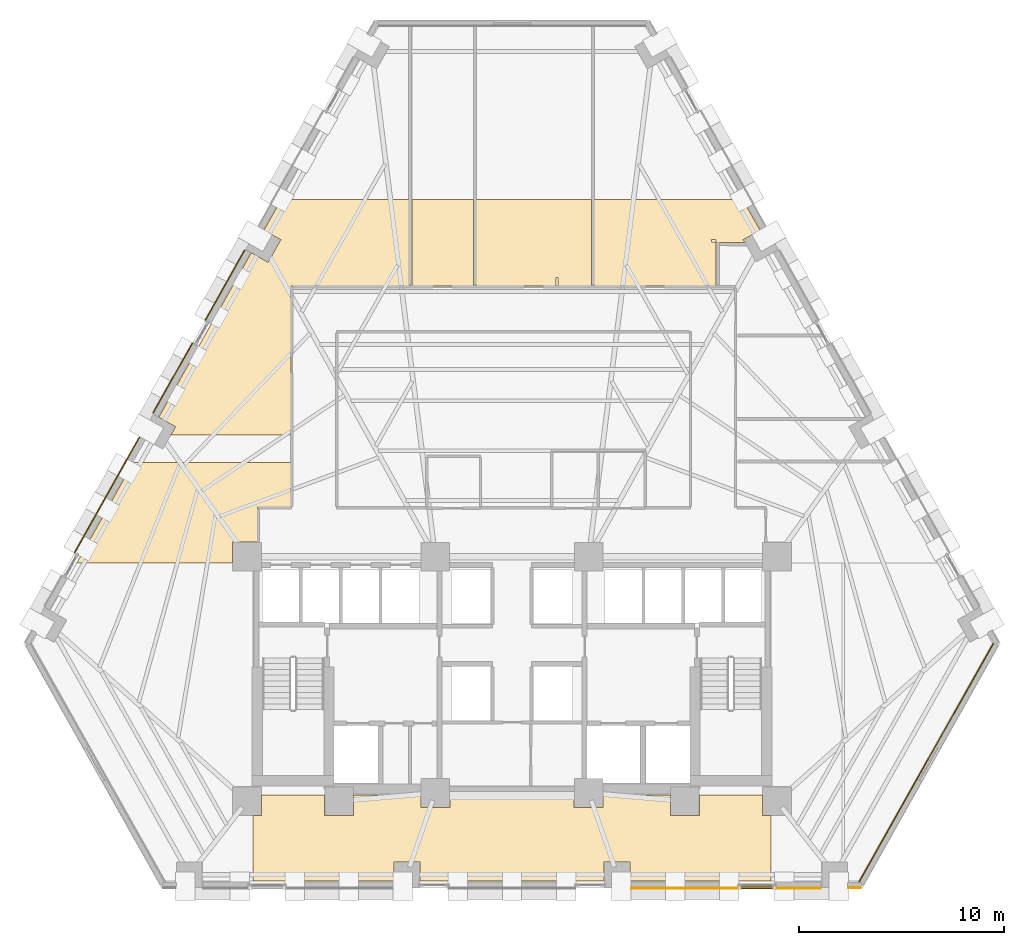
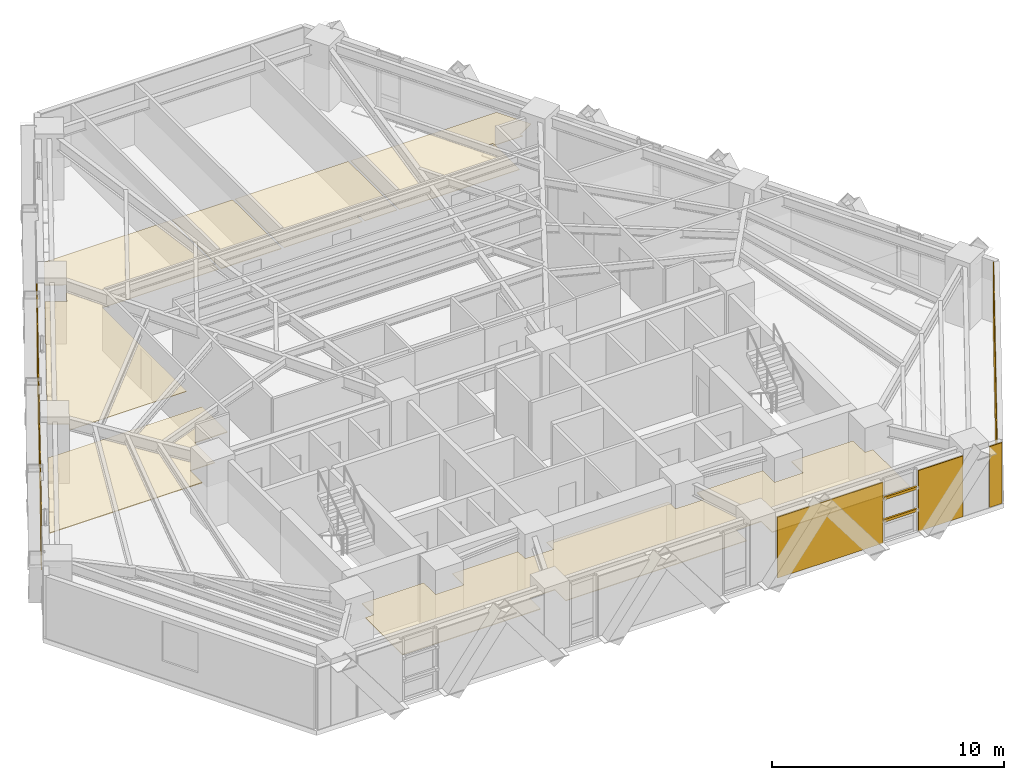
# One storey, part 11 of 13: 13 coverings, 2 shading devices.
"""IFC4 building model written with IfcOpenShell, lengths in metres."""

from ifc_helpers import new_model, si_unit, direction, frame, origin, origin_2d, place, context, subcontext, project, spatial, polyline, rectangle, outline, extrude, material, layer, layer_set, material_profile, profile_set, type_object, element, save


model = new_model("IFC4")

# Units and contexts
model_context = context("Model", 3, precision=1e-05, world=origin(), true_north=direction((0.0, 1.0)))
body_context = subcontext(model_context, "Body", "Model", "MODEL_VIEW")
ifc_project = project(units=[si_unit("LENGTHUNIT", "METRE"), si_unit("AREAUNIT", "SQUARE_METRE"), si_unit("VOLUMEUNIT", "CUBIC_METRE"), si_unit("PLANEANGLEUNIT", "RADIAN"), si_unit("MASSUNIT", "GRAM", prefix="KILO")], contexts=[model_context])

# Site, building, storey
site_placement = place(None, origin())
site = spatial("IfcSite", under=ifc_project, at=site_placement, CompositionType="ELEMENT")
building_placement = place(site_placement, origin())
building = spatial("IfcBuilding", under=site, at=building_placement, Name="Quenlor Broadcast Tower", CompositionType="ELEMENT")
storey_placement = place(building_placement, frame((0.0, 0.0, 34.60009765625)))
storey = spatial("IfcBuildingStorey", under=building, at=storey_placement, Name="L08", CompositionType="ELEMENT", Elevation=34.60009765625)

# Coverings
ifc_material_1 = material(Name="Acoustic Mineral Fibre Board", Category="other")
ifc_layer_1 = layer(ifc_material_1, 0.02490234375)
ifc_layer_set_1 = layer_set([ifc_layer_1], Name="Acoustic Perforated Mineral Tile Ceiling 25")
covering_type_1 = type_object("IfcCoveringType", Name="Acoustic Perforated Mineral Tile Ceiling 25", PredefinedType="CEILING", material=ifc_layer_set_1)
covering_1_placement = place(storey_placement, frame((0.0, 0.0, 2.224853515625)))
element("IfcCovering", 1, at=covering_1_placement, inside=storey, type_object=covering_type_1, Name="L08 Acoustic Ceiling L08-32", PredefinedType="CEILING", context=body_context, shape_type="SweptSolid", body=[
    extrude(outline(polyline([(-1.765869140625, 8.429931640625), (-1.765869140625, 12.64990234375), (3.8798828125, 12.64990234375), (3.8798828125, 8.429931640625), (2.260009765625, 8.429931640625), (2.260009765625, 8.85009765625), (2.139892578125, 8.85009765625), (2.139892578125, 8.429931640625), (-1.765869140625, 8.429931640625)])), origin(), (0.0, 0.0, 1.0), 0.025146484375),
])
covering_2_placement = place(storey_placement, frame((0.0, 0.0, 2.224853515625)))
element("IfcCovering", 2, at=covering_2_placement, inside=storey, type_object=covering_type_1, Name="L08 Acoustic Ceiling L08-33", PredefinedType="CEILING", context=body_context, shape_type="SweptSolid", body=[
    extrude(outline(polyline([(10.04248046875, 10.561279296875), (10.0166015625, 10.5751953125), (9.993896484375, 10.593994140625), (9.975341796875, 10.61669921875), (9.96142578125, 10.642578125), (9.952880859375, 10.670654296875), (9.949951171875, 10.699951171875), (9.75, 10.699951171875), (9.75, 10.580078125), (9.97998046875, 10.580078125), (9.97998046875, 8.429931640625), (4.0, 8.429931640625), (4.0, 12.64990234375), (11.27587890625, 12.64990234375), (12.122802734375, 11.154541015625), (11.301025390625, 10.6923828125), (11.381103515625, 10.550048828125), (10.10009765625, 10.550048828125), (10.07080078125, 10.552978515625), (10.04248046875, 10.561279296875)])), origin(), (0.0, 0.0, 1.0), 0.025146484375),
])
covering_3_placement = place(storey_placement, frame((0.0, 0.0, 2.224853515625)))
element("IfcCovering", 3, at=covering_3_placement, inside=storey, type_object=covering_type_1, Name="L08 Acoustic Ceiling L08-34", PredefinedType="CEILING", context=body_context, shape_type="SweptSolid", body=[
    extrude(outline(polyline([(-16.6630859375, 1.159912109375), (-16.44189453125, 1.552978515625), (-17.263671875, 2.015380859375), (-12.74365234375, 10.05126953125), (-11.921630859375, 9.5888671875), (-11.301025390625, 10.6923828125), (-12.122802734375, 11.154541015625), (-11.28173828125, 12.64990234375), (-5.02001953125, 12.64990234375), (-5.02001953125, 8.429931640625), (-10.804931640625, 8.429931640625), (-10.804931640625, 1.159912109375), (-16.6630859375, 1.159912109375)])), origin(), (0.0, 0.0, 1.0), 0.025146484375),
])
ifc_material_2 = material(Name="Acoustic Gypsum Board", Category="other")
ifc_layer_2 = layer(ifc_material_2, 0.0400390625)
ifc_layer_set_2 = layer_set([ifc_layer_2], Name="Broadcast Studio Spring Isolated Ceiling 40")
covering_type_2 = type_object("IfcCoveringType", Name="Broadcast Studio Spring Isolated Ceiling 40", PredefinedType="CEILING", material=ifc_layer_set_2)
covering_4_placement = place(storey_placement, frame((0.0, 0.0, 2.2099609375)))
element("IfcCovering", 4, at=covering_4_placement, inside=storey, type_object=covering_type_2, Name="L08 Acoustic Ceiling L08-31", PredefinedType="CEILING", context=body_context, shape_type="SweptSolid", body=[
    extrude(outline(polyline([(-1.8857421875, 8.429931640625), (-4.89990234375, 8.429931640625), (-4.89990234375, 12.64990234375), (-1.8857421875, 12.64990234375), (-1.8857421875, 8.429931640625)])), origin(), (0.0, 0.0, 1.0), 0.0400390625),
])
covering_5_placement = place(storey_placement, frame((0.0, 0.0, 2.2099609375)))
element("IfcCovering", 5, at=covering_5_placement, inside=storey, type_object=covering_type_2, Name="L08 Acoustic Ceiling L08-38", PredefinedType="CEILING", context=body_context, shape_type="SweptSolid", body=[
    extrude(outline(polyline([(-12.43994140625, -2.3701171875), (-12.43994140625, -4.092041015625), (-13.657958984375, -4.092041015625), (-13.657958984375, -5.1201171875), (-21.27734375, -5.1201171875), (-18.50439453125, -0.190185546875), (-10.804931640625, -0.190185546875), (-10.804931640625, -2.3701171875), (-12.43994140625, -2.3701171875)])), origin(), (0.0, 0.0, 1.0), 0.0400390625),
])
covering_6_placement = place(storey_placement, frame((0.0, 0.0, 2.2099609375)))
element("IfcCovering", 6, at=covering_6_placement, inside=storey, type_object=covering_type_2, Name="L08 Acoustic Ceiling L08-38-6", PredefinedType="CEILING", context=body_context, shape_type="SweptSolid", body=[
    extrude(outline(polyline([(-12.241943359375, -17.4580078125), (-12.241943359375, -16.449951171875), (-9.157958984375, -16.449951171875), (-9.157958984375, -17.4580078125), (-7.741943359375, -17.4580078125), (-7.741943359375, -16.449951171875), (-4.4580078125, -16.449951171875), (-4.4580078125, -17.05810546875), (-3.0419921875, -17.05810546875), (-3.0419921875, -16.449951171875), (3.0419921875, -16.449951171875), (3.0419921875, -17.05810546875), (4.4580078125, -17.05810546875), (4.4580078125, -16.449951171875), (7.741943359375, -16.449951171875), (7.741943359375, -17.4580078125), (9.157958984375, -17.4580078125), (9.157958984375, -16.449951171875), (12.241943359375, -16.449951171875), (12.241943359375, -17.4580078125), (12.64990234375, -17.4580078125), (12.64990234375, -20.659912109375), (5.773681640625, -20.659912109375), (5.773681640625, -19.717041015625), (4.5078125, -19.717041015625), (4.5078125, -20.659912109375), (-4.5078125, -20.659912109375), (-4.5078125, -19.717041015625), (-5.773681640625, -19.717041015625), (-5.773681640625, -20.659912109375), (-12.64990234375, -20.659912109375), (-12.64990234375, -17.4580078125), (-12.241943359375, -17.4580078125)])), origin(), (0.0, 0.0, 1.0), 0.0400390625),
])

# Shading devices
ifc_material_3 = material(Name="Architectural Terracotta Ceramic", Category="masonry")
ifc_material_profile = material_profile(ifc_material_3, rectangle(XDim=0.090087890625, YDim=0.139892578125, at=origin_2d()))
ifc_profile_set = profile_set([ifc_material_profile], Name="Architectural Terracotta Ceramic BAG90x140")
shading_device_type = type_object("IfcShadingDeviceType", Name="Copper Terracotta Baguette Solar Screen 140", PredefinedType="USERDEFINED", material=ifc_profile_set)
for number, where, z_axis, x_axis, name in (
    (7, (12.794921875, -20.98291015625, 1.169921875), (-1.0, 0.0, 0.0), (0.0, -1.0, 0.0), "L08 Terracotta Baguette Screen 1"),
    (8, (12.794921875, -20.98291015625, 2.33984375), (-1.0, 0.0, 0.0), (0.0, -1.0, 0.0), "L08 Terracotta Baguette Screen 2"),
):
    element("IfcShadingDevice", number, at=place(storey_placement, frame(where, z_axis=z_axis, x_axis=x_axis)), inside=storey, type_object=shading_device_type, Name=name, ObjectType="BAGUETTE", PredefinedType="USERDEFINED", context=body_context, shape_type="SweptSolid", body=[
        extrude(rectangle(XDim=0.090087890625, YDim=0.139892578125, at=origin_2d()), origin(), (0.0, 0.0, 1.0), 1.6484375),
    ])

# Coverings
ifc_material_4 = material(Name="Architectural Terracotta Ceramic", Category="masonry")
ifc_layer_3 = layer(ifc_material_4, 0.044921875)
ifc_layer_set_3 = layer_set([ifc_layer_3], Name="Fluted Terracotta Rainscreen Cladding Panel")
covering_type_3 = type_object("IfcCoveringType", Name="Fluted Terracotta Rainscreen Cladding Panel", PredefinedType="CLADDING", material=ifc_layer_set_3)
covering_7_placement = place(storey_placement, frame((0.0, 0.0, 0.02001953125)))
element("IfcCovering", 9, at=covering_7_placement, inside=storey, type_object=covering_type_3, Name="L08 Terracotta Rainscreen Cladding L08-SHD-SS0", PredefinedType="CLADDING", context=body_context, shape_type="SweptSolid", body=[
    extrude(outline(polyline([(17.0458984375, -20.951904296875), (16.425048828125, -20.951904296875), (16.425048828125, -20.9970703125), (17.0458984375, -20.9970703125), (17.0458984375, -20.951904296875)])), origin(), (0.0, 0.0, 1.0), 3.2099609375),
])
covering_8_placement = place(storey_placement, frame((0.0, 0.0, 0.02001953125)))
element("IfcCovering", 10, at=covering_8_placement, inside=storey, type_object=covering_type_3, Name="L08 Terracotta Rainscreen Cladding L08-SA-SP1", PredefinedType="CLADDING", context=body_context, shape_type="SweptSolid", body=[
    extrude(outline(polyline([(15.085205078125, -20.98193359375), (12.864990234375, -20.98193359375), (12.864990234375, -21.027099609375), (15.085205078125, -21.027099609375), (15.085205078125, -20.98193359375)])), origin(), (0.0, 0.0, 1.0), 3.2099609375),
])
covering_9_placement = place(storey_placement, frame((0.0, 0.0, 0.02001953125)))
element("IfcCovering", 11, at=covering_9_placement, inside=storey, type_object=covering_type_3, Name="L08 Terracotta Rainscreen Cladding L08-SA-SP2", PredefinedType="CLADDING", context=body_context, shape_type="SweptSolid", body=[
    extrude(outline(polyline([(11.07666015625, -20.98193359375), (5.82080078125, -20.98193359375), (5.82080078125, -21.027099609375), (11.07666015625, -21.027099609375), (11.07666015625, -20.98193359375)])), origin(), (0.0, 0.0, 1.0), 3.2099609375),
])
covering_10_placement = place(storey_placement, frame((0.0, 0.0, 0.02001953125)))
element("IfcCovering", 12, at=covering_10_placement, inside=storey, type_object=covering_type_3, Name="L08 Terracotta Rainscreen Cladding L08-NWA-SP2", PredefinedType="CLADDING", context=body_context, shape_type="SweptSolid", body=[
    extrude(outline(polyline([(-21.3671875, -4.622802734375), (-18.18798828125, 1.029052734375), (-18.227294921875, 1.051025390625), (-21.406494140625, -4.6005859375), (-21.3671875, -4.622802734375)])), origin(), (0.0, 0.0, 1.0), 3.2099609375),
])
covering_11_placement = place(storey_placement, frame((0.0, 0.0, 0.02001953125)))
element("IfcCovering", 13, at=covering_11_placement, inside=storey, type_object=covering_type_3, Name="L08 Terracotta Rainscreen Cladding L08-NW-SP1", PredefinedType="CLADDING", context=body_context, shape_type="SweptSolid", body=[
    extrude(outline(polyline([(-17.523681640625, 2.2099609375), (-15.594970703125, 5.638916015625), (-15.63427734375, 5.660888671875), (-17.56298828125, 2.23193359375), (-17.523681640625, 2.2099609375)])), origin(), (0.0, 0.0, 1.0), 3.2099609375),
])
covering_12_placement = place(storey_placement, frame((0.0, 0.0, 0.02001953125)))
element("IfcCovering", 14, at=covering_12_placement, inside=storey, type_object=covering_type_3, Name="L08 Terracotta Rainscreen Cladding L08-NW-SP2", PredefinedType="CLADDING", context=body_context, shape_type="SweptSolid", body=[
    extrude(outline(polyline([(-14.9736328125, 6.74365234375), (-13.044921875, 10.172607421875), (-13.083984375, 10.194580078125), (-15.0126953125, 6.765625), (-14.9736328125, 6.74365234375)])), origin(), (0.0, 0.0, 1.0), 3.2099609375),
])
covering_13_placement = place(storey_placement, frame((0.0, 0.0, 0.02001953125)))
element("IfcCovering", 15, at=covering_13_placement, inside=storey, type_object=covering_type_3, Name="L08 Terracotta Rainscreen Cladding L08-CNR-06", PredefinedType="CLADDING", context=body_context, shape_type="SweptSolid", body=[
    extrude(outline(polyline([(16.98388671875, -20.71533203125), (23.547607421875, -9.046875), (23.50830078125, -9.02490234375), (16.94482421875, -20.693359375), (16.98388671875, -20.71533203125)])), origin(), (0.0, 0.0, 1.0), 3.2099609375),
])

save(model, "model.ifc")
